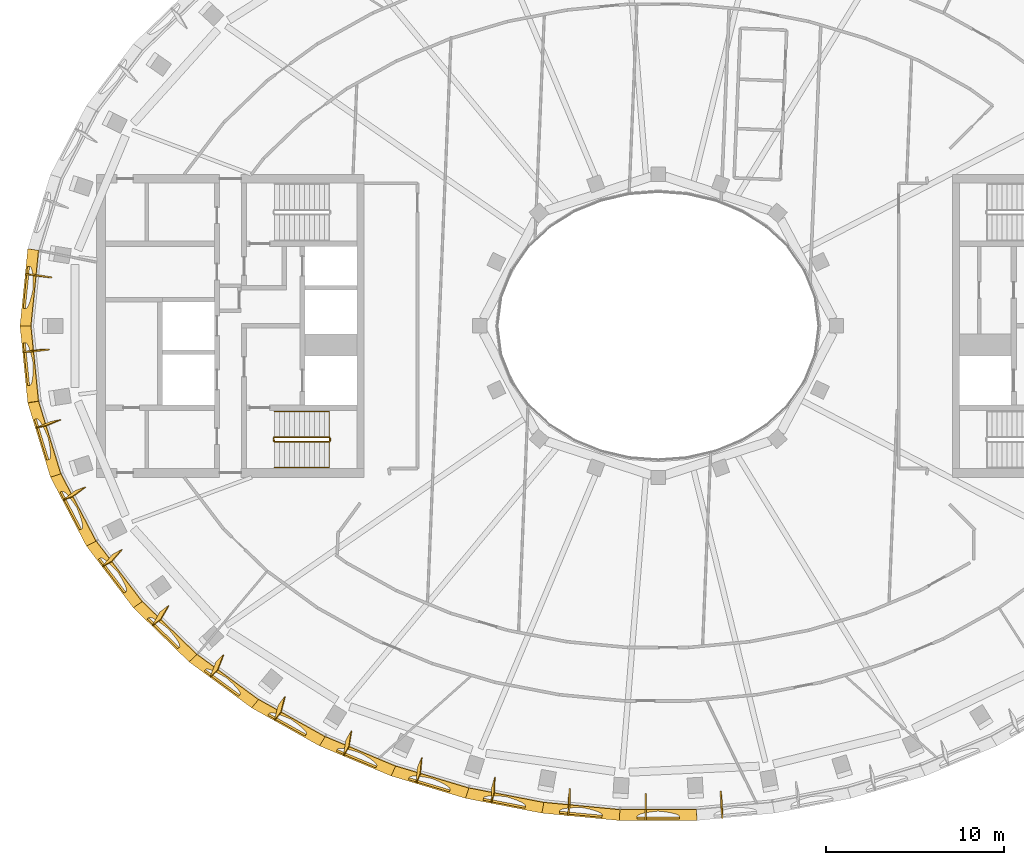
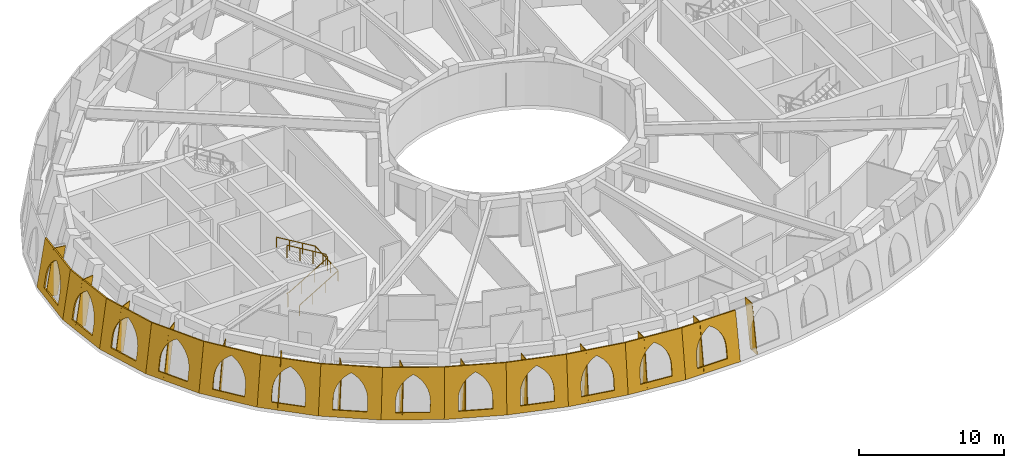
# One storey, part 11 of 14: 27 coverings, 2 railings.
"""IFC4 building model written with IfcOpenShell, lengths in metres."""

from ifc_helpers import new_model, si_unit, direction, frame, origin, origin_2d, place, context, subcontext, project, spatial, polyline, rectangle, outline, extrude, material, layer, layer_set, type_object, element, save


model = new_model("IFC4")

# Units and contexts
model_context = context("Model", 3, precision=1e-05, world=origin(), true_north=direction((0.0, 1.0)))
body_context = subcontext(model_context, "Body", "Model", "MODEL_VIEW")
ifc_project = project(units=[si_unit("LENGTHUNIT", "METRE"), si_unit("AREAUNIT", "SQUARE_METRE"), si_unit("VOLUMEUNIT", "CUBIC_METRE"), si_unit("PLANEANGLEUNIT", "RADIAN"), si_unit("MASSUNIT", "GRAM", prefix="KILO")], contexts=[model_context])

# Site, building, storey
site_placement = place(None, origin())
site = spatial("IfcSite", under=ifc_project, at=site_placement, CompositionType="ELEMENT")
building_placement = place(site_placement, origin())
building = spatial("IfcBuilding", under=site, at=building_placement, Name="Noorbagh Ring Tower", CompositionType="ELEMENT")
storey_placement = place(building_placement, frame((0.0, 0.0, 335.0)))
storey = spatial("IfcBuildingStorey", under=building, at=storey_placement, Name="L73", CompositionType="ELEMENT", Elevation=335.0)

# Railings
ifc_material_1 = material(Name="Stainless steel", Category="steel")
railing_type_1 = type_object("IfcRailingType", Name="CORE-STAIR-GUARD", PredefinedType="GUARDRAIL", material=ifc_material_1)
railing_1_placement = place(storey_placement, frame((-21.580078125, -6.449951171875, 0.0)))
element("IfcRailing", 1, at=railing_1_placement, inside=storey, type_object=railing_type_1, Name="L73 ST2 stair guard", PredefinedType="GUARDRAIL", context=body_context, shape_type="SweptSolid", body=[
    extrude(rectangle(XDim=0.048095703125, YDim=0.048095703125, at=origin_2d()), frame((0.0, 0.0, 1.076171875), z_axis=(0.0, 1.0, 0.0), x_axis=(-1.0, 0.0, 0.0)), (0.0, 0.0, 1.0), 0.14990234375),
    extrude(rectangle(XDim=0.048095703125, YDim=0.048095703125, at=origin_2d()), frame((0.0, 0.14990234375, 1.076171875), z_axis=(0.188775798145, -0.754182335027, 0.628945707965), x_axis=(0.970072785993, 0.242814311512, 0.0)), (0.0, 0.0, 1.0), 0.26513671875),
    extrude(rectangle(XDim=0.048095703125, YDim=0.048095703125, at=origin_2d()), frame((0.050048828125, -0.050048828125, 1.24267578125), z_axis=(0.859308565015, 0.0, 0.511457515432), x_axis=(0.0, 1.0, 0.0)), (0.0, 0.0, 1.0), 3.58447265625),
    extrude(rectangle(XDim=0.048095703125, YDim=0.048095703125, at=origin_2d()), frame((3.130126953125, -0.050048828125, 3.076171875), z_axis=(0.707106781187, 0.707106781187, 0.0), x_axis=(-0.707106781187, 0.707106781187, 0.0)), (0.0, 0.0, 1.0), 0.07080078125),
    extrude(rectangle(XDim=0.048095703125, YDim=0.048095703125, at=origin_2d()), frame((3.18017578125, 0.0, 3.076171875), z_axis=(0.0, 1.0, 0.0), x_axis=(-1.0, 0.0, 0.0)), (0.0, 0.0, 1.0), 0.14990234375),
    extrude(rectangle(XDim=0.048095703125, YDim=0.048095703125, at=origin_2d()), frame((3.18017578125, 0.14990234375, 3.076171875), z_axis=(-0.27628659633, 0.27628659633, 0.920506074601), x_axis=(-0.707106781187, -0.707106781187, 0.0)), (0.0, 0.0, 1.0), 0.18115234375),
    extrude(rectangle(XDim=0.048095703125, YDim=0.048095703125, at=origin_2d()), frame((3.130126953125, 0.199951171875, 3.24267578125), z_axis=(-0.859308565015, 0.0, 0.511457515432), x_axis=(0.0, -1.0, 0.0)), (0.0, 0.0, 1.0), 3.58447265625),
    extrude(rectangle(XDim=0.0419921875, YDim=0.0419921875, at=origin_2d()), origin(), (0.0, 0.0, 1.0), 1.052001953125),
    extrude(rectangle(XDim=0.0419921875, YDim=0.0419921875, at=origin_2d()), frame((1.07666015625, -0.050048828125, 0.77783203125)), (0.0, 0.0, 1.0), 1.052001953125),
    extrude(rectangle(XDim=0.0419921875, YDim=0.0419921875, at=origin_2d()), frame((2.103515625, -0.050048828125, 1.388916015625)), (0.0, 0.0, 1.0), 1.052001953125),
    extrude(rectangle(XDim=0.0419921875, YDim=0.0419921875, at=origin_2d()), frame((3.130126953125, -0.050048828125, 2.0)), (0.0, 0.0, 1.0), 1.052001953125),
    extrude(rectangle(XDim=0.0419921875, YDim=0.0419921875, at=origin_2d()), frame((3.130126953125, 0.199951171875, 2.166748046875)), (0.0, 0.0, 1.0), 1.052001953125),
    extrude(rectangle(XDim=0.0419921875, YDim=0.0419921875, at=origin_2d()), frame((2.103515625, 0.199951171875, 2.77783203125)), (0.0, 0.0, 1.0), 1.052001953125),
    extrude(rectangle(XDim=0.0419921875, YDim=0.0419921875, at=origin_2d()), frame((1.07666015625, 0.199951171875, 3.388916015625)), (0.0, 0.0, 1.0), 1.052001953125),
    extrude(rectangle(XDim=0.0419921875, YDim=0.0419921875, at=origin_2d()), frame((0.050048828125, 0.199951171875, 4.0)), (0.0, 0.0, 1.0), 1.052001953125),
])
ifc_material_2 = material(Name="Stainless steel", Category="steel")
railing_type_2 = type_object("IfcRailingType", Name="CORE-STAIR-HANDRAIL", PredefinedType="HANDRAIL", material=ifc_material_2)
railing_2_placement = place(storey_placement, frame((-21.530029296875, -7.949951171875, 0.166748046875)))
element("IfcRailing", 2, at=railing_2_placement, inside=storey, type_object=railing_type_2, Name="L73 ST2 stair handrail", PredefinedType="HANDRAIL", context=body_context, shape_type="SweptSolid", body=[
    extrude(rectangle(XDim=0.048095703125, YDim=0.048095703125, at=origin_2d()), frame((0.0, 0.0, 0.8759765625), z_axis=(0.859308565015, 0.0, 0.511457515432), x_axis=(0.0, 1.0, 0.0)), (0.0, 0.0, 1.0), 3.58447265625),
    extrude(rectangle(XDim=0.048095703125, YDim=0.048095703125, at=origin_2d()), frame((3.080078125, 0.0, 2.708984375), z_axis=(0.0, 0.998601747152, 0.052863509014), x_axis=(-1.0, 0.0, 0.0)), (0.0, 0.0, 1.0), 3.154296875),
    extrude(rectangle(XDim=0.048095703125, YDim=0.048095703125, at=origin_2d()), frame((3.080078125, 3.14990234375, 2.8759765625), z_axis=(-0.859308565015, 0.0, 0.511457515432), x_axis=(0.0, -1.0, 0.0)), (0.0, 0.0, 1.0), 3.58447265625),
    extrude(rectangle(XDim=0.0419921875, YDim=0.0419921875, at=origin_2d()), origin(), (0.0, 0.0, 1.0), 0.851806640625),
    extrude(rectangle(XDim=0.0419921875, YDim=0.0419921875, at=origin_2d()), frame((1.026611328125, 0.0, 0.611083984375)), (0.0, 0.0, 1.0), 0.851806640625),
    extrude(rectangle(XDim=0.0419921875, YDim=0.0419921875, at=origin_2d()), frame((2.053466796875, 0.0, 1.22216796875)), (0.0, 0.0, 1.0), 0.851806640625),
    extrude(rectangle(XDim=0.0419921875, YDim=0.0419921875, at=origin_2d()), frame((3.080078125, 0.0, 1.833251953125)), (0.0, 0.0, 1.0), 0.851806640625),
    extrude(rectangle(XDim=0.0419921875, YDim=0.0419921875, at=origin_2d()), frame((3.080078125, 1.050048828125, 1.888916015625)), (0.0, 0.0, 1.0), 0.851806640625),
    extrude(rectangle(XDim=0.0419921875, YDim=0.0419921875, at=origin_2d()), frame((3.080078125, 2.099853515625, 1.9443359375)), (0.0, 0.0, 1.0), 0.851806640625),
    extrude(rectangle(XDim=0.0419921875, YDim=0.0419921875, at=origin_2d()), frame((3.080078125, 3.14990234375, 2.0)), (0.0, 0.0, 1.0), 0.851806640625),
    extrude(rectangle(XDim=0.0419921875, YDim=0.0419921875, at=origin_2d()), frame((2.053466796875, 3.14990234375, 2.611083984375)), (0.0, 0.0, 1.0), 0.851806640625),
    extrude(rectangle(XDim=0.0419921875, YDim=0.0419921875, at=origin_2d()), frame((1.026611328125, 3.14990234375, 3.22216796875)), (0.0, 0.0, 1.0), 0.851806640625),
    extrude(rectangle(XDim=0.0419921875, YDim=0.0419921875, at=origin_2d()), frame((0.0, 3.14990234375, 3.833251953125)), (0.0, 0.0, 1.0), 0.851806640625),
])

# Coverings
ifc_material_3 = material(Name="Aluminium 6063-T6 black anodised", Category="aluminium")
ifc_layer_1 = layer(ifc_material_3, 0.050048828125)
ifc_layer_set_1 = layer_set([ifc_layer_1], Name="Aluminium 6063-T6 black anodised")
covering_type_1 = type_object("IfcCoveringType", Name="STYLE-HEAD-FIN", PredefinedType="CLADDING", material=ifc_layer_set_1)
covering_1_placement = place(storey_placement, frame((-35.508544921875, 2.885009765625, 0.0), z_axis=(-0.147833092531, -0.988989826363, 0.006670839826), x_axis=(0.149172121519, -0.015629279722, 0.988687718027)))
element("IfcCovering", 3, at=covering_1_placement, inside=storey, type_object=covering_type_1, Name="Fin rib F23 L73", ObjectType="FIN", PredefinedType="CLADDING", context=body_context, shape_type="SweptSolid", body=[
    extrude(outline(polyline([(0.0, 0.0), (4.045766855466997, 2.220446049250313e-16), (4.180630017699846, -0.889864807234213), (0.1348631622328482, -0.8898648072342131), (0.0, 0.0)])), origin(), (0.0, 0.0, -1.0), 0.050048828125),
])
covering_2_placement = place(storey_placement, frame((-35.654052734375, -1.4423828125, 0.0), z_axis=(-0.124361033752, 0.992175924675, 0.011012165115), x_axis=(0.149425561823, 0.007755198218, 0.988742564257)))
element("IfcCovering", 4, at=covering_2_placement, inside=storey, type_object=covering_type_1, Name="Fin rib F24 L73", ObjectType="FIN", PredefinedType="CLADDING", context=body_context, shape_type="SweptSolid", body=[
    extrude(outline(polyline([(0.0, 0.0), (4.045541085068021, -1.1102230246251565e-16), (4.179855192961751, 0.8899607971314065), (0.13431600125266993, 0.8899912186515152), (0.0, 0.0)])), origin(), (0.0, 0.0, -1.0), 0.050048828125),
])
covering_3_placement = place(storey_placement, frame((-34.938720703125, -5.714111328125, 0.0), z_axis=(-0.381510646415, 0.923949913049, 0.02768004422), x_axis=(0.146105523488, 0.030706206504, 0.988792346698)))
element("IfcCovering", 5, at=covering_3_placement, inside=storey, type_object=covering_type_1, Name="Fin rib F25 L73", ObjectType="FIN", PredefinedType="CLADDING", context=body_context, shape_type="SweptSolid", body=[
    extrude(outline(polyline([(0.0, 0.0), (4.045584358427937, 1.1102230246251565e-16), (4.177696481621185, 0.890403650676491), (0.13207645289942732, 0.8901808126262952), (0.0, 0.0)])), origin(), (0.0, 0.0, -1.0), 0.050048828125),
])
covering_4_placement = place(storey_placement, frame((-33.418701171875, -9.773681640625, 0.0), z_axis=(-0.595963791254, 0.801935815517, 0.041546447557), x_axis=(0.139578699309, 0.052500418677, 0.988818230383)))
element("IfcCovering", 6, at=covering_4_placement, inside=storey, type_object=covering_type_1, Name="Fin rib F26 L73", ObjectType="FIN", PredefinedType="CLADDING", context=body_context, shape_type="SweptSolid", body=[
    extrude(outline(polyline([(0.0, 0.0), (4.045726664748056, -1.1102230246251565e-16), (4.1747456569171915, 0.8907623899288861), (0.129018992169136, 0.8907623899288862), (0.0, 0.0)])), origin(), (0.0, 0.0, -1.0), 0.050048828125),
])
covering_5_placement = place(storey_placement, frame((-31.197998046875, -13.501708984375, 0.0), z_axis=(-0.755758006064, 0.652804773476, 0.051727787473), x_axis=(0.130254727378, 0.072442851982, 0.988830490626)))
element("IfcCovering", 7, at=covering_5_placement, inside=storey, type_object=covering_type_1, Name="Fin rib F27 L73", ObjectType="FIN", PredefinedType="CLADDING", context=body_context, shape_type="SweptSolid", body=[
    extrude(outline(polyline([(0.0, 0.0), (4.045685497605292, 0.0), (4.171637449578587, 0.8910707571020233), (0.12596606620068676, 0.8910433429436253), (0.0, 0.0)])), origin(), (0.0, 0.0, -1.0), 0.050048828125),
])
covering_6_placement = place(storey_placement, frame((-28.400390625, -16.8251953125, 0.0), z_axis=(-0.863838294479, 0.50043046025, 0.057902983041), x_axis=(0.118580178798, 0.090277835868, 0.988831964263)))
element("IfcCovering", 8, at=covering_6_placement, inside=storey, type_object=covering_type_1, Name="Fin rib F28 L73", ObjectType="FIN", PredefinedType="CLADDING", context=body_context, shape_type="SweptSolid", body=[
    extrude(outline(polyline([(0.0, 0.0), (4.045670473682091, 0.0), (4.169479669687322, 0.8914988331312648), (0.12380919600523096, 0.8914988331312648), (0.0, 0.0)])), origin(), (0.0, 0.0, -1.0), 0.050048828125),
])
covering_7_placement = place(storey_placement, frame((-25.1455078125, -19.7080078125, 0.0), z_axis=(-0.930063475621, 0.362466141249, 0.060001898001), x_axis=(0.105045115246, 0.105851738948, 0.988817947412)))
element("IfcCovering", 9, at=covering_7_placement, inside=storey, type_object=covering_type_1, Name="Fin rib F29 L73", ObjectType="FIN", PredefinedType="CLADDING", context=body_context, shape_type="SweptSolid", body=[
    extrude(outline(polyline([(0.0, 0.0), (4.045732026869076, 0.0), (4.168789945752913, 0.8913152034637024), (0.12310940737363034, 0.8916272220388416), (0.0, 0.0)])), origin(), (0.0, 0.0, -1.0), 0.050048828125),
])
covering_8_placement = place(storey_placement, frame((-21.537109375, -22.1396484375, 0.0), z_axis=(-0.967198735921, 0.247249739856, 0.058259517462), x_axis=(0.089981252416, 0.118998022002, 0.988808801019)))
element("IfcCovering", 10, at=covering_8_placement, inside=storey, type_object=covering_type_1, Name="Fin rib F30 L73", ObjectType="FIN", PredefinedType="CLADDING", context=body_context, shape_type="SweptSolid", body=[
    extrude(outline(polyline([(0.0, 0.0), (4.045763466856136, 0.0), (4.1695659131513905, 0.8913127461712644), (0.12383149854672014, 0.8915475159190084), (0.0, 0.0)])), origin(), (0.0, 0.0, -1.0), 0.050048828125),
])
covering_9_placement = place(storey_placement, frame((-17.66162109375, -24.122802734375, 0.0), z_axis=(-0.986155065295, 0.157113016858, 0.053044199754), x_axis=(0.073856126435, 0.129739897216, 0.988793624402)))
element("IfcCovering", 11, at=covering_9_placement, inside=storey, type_object=covering_type_1, Name="Fin rib F31 L73", ObjectType="FIN", PredefinedType="CLADDING", context=body_context, shape_type="SweptSolid", body=[
    extrude(outline(polyline([(0.0, 0.0), (4.04582837090453, 0.0), (4.171614386308706, 0.8912915142073211), (0.12575434062458163, 0.8910524952912179), (0.0, 0.0)])), origin(), (0.0, 0.0, -1.0), 0.050048828125),
])
covering_10_placement = place(storey_placement, frame((-13.589111328125, -25.66650390625, 0.0), z_axis=(-0.994852297429, 0.091057034033, 0.044469347345), x_axis=(0.056846127168, 0.138192814454, 0.988772604727)))
element("IfcCovering", 12, at=covering_10_placement, inside=storey, type_object=covering_type_1, Name="Fin rib F32 L73", ObjectType="FIN", PredefinedType="CLADDING", context=body_context, shape_type="SweptSolid", body=[
    extrude(outline(polyline([(0.0, 0.0), (4.045666436852863, -1.1102230246251565e-16), (4.174183556137161, 0.8907631748899272), (0.12851711928429782, 0.8907631748899271), (0.0, 0.0)])), origin(), (0.0, 0.0, -1.0), 0.050048828125),
])
covering_11_placement = place(storey_placement, frame((-9.377685546875, -26.780029296875, 0.0), z_axis=(-0.998453433548, 0.044601653719, 0.033187852025), x_axis=(0.039313208081, 0.144345509092, 0.988746097679)))
element("IfcCovering", 13, at=covering_11_placement, inside=storey, type_object=covering_type_1, Name="Fin rib F33 L73", ObjectType="FIN", PredefinedType="CLADDING", context=body_context, shape_type="SweptSolid", body=[
    extrude(outline(polyline([(0.0, 0.0), (4.045779169894158, 0.0), (4.177144374023018, 0.8904228444187793), (0.13133956147724696, 0.8901911030947073), (0.0, 0.0)])), origin(), (0.0, 0.0, -1.0), 0.050048828125),
])
covering_12_placement = place(storey_placement, frame((-5.07568359375, -27.471923828125, 0.0), z_axis=(-0.999730598591, 0.012339005082, 0.019659074098), x_axis=(0.021271979871, 0.148212736495, 0.988726700162)))
element("IfcCovering", 14, at=covering_12_placement, inside=storey, type_object=covering_type_1, Name="Fin rib F34 L73", ObjectType="FIN", PredefinedType="CLADDING", context=body_context, shape_type="SweptSolid", body=[
    extrude(outline(polyline([(0.0, 0.0), (4.0456098010690145, -1.1102230246251565e-16), (4.1792566757149485, 0.8902375471595666), (0.13361588325027393, 0.8899983888723073), (0.0, 0.0)])), origin(), (0.0, 0.0, -1.0), 0.050048828125),
])
covering_13_placement = place(storey_placement, frame((-0.72705078125, -27.747802734375, 0.0), z_axis=(-0.999916647804, -0.011936064163, 0.004922176051), x_axis=(0.00307760824, 0.149897624845, 0.988696733277)))
element("IfcCovering", 15, at=covering_13_placement, inside=storey, type_object=covering_type_1, Name="Fin rib F35 L73", ObjectType="FIN", PredefinedType="CLADDING", context=body_context, shape_type="SweptSolid", body=[
    extrude(outline(polyline([(0.0, 0.0), (4.045729964880786, 0.0), (4.180590128556626, 0.889804674708081), (0.1348601636758405, 0.889804674708081), (0.0, 0.0)])), origin(), (0.0, 0.0, -1.0), 0.050048828125),
])
covering_14_placement = place(storey_placement, frame((3.62841796875, -27.60986328125, 0.0), z_axis=(0.999322825853, 0.035394661087, 0.010055232219), x_axis=(-0.015235823563, 0.14929206221, 0.988675755666)))
element("IfcCovering", 16, at=covering_14_placement, inside=storey, type_object=covering_type_1, Name="Fin rib F36 L73", ObjectType="FIN", PredefinedType="CLADDING", context=body_context, shape_type="SweptSolid", body=[
    extrude(outline(polyline([(0.0, 0.0), (4.045817091332591, -1.1102230246251565e-16), (4.1806124786144645, -0.8900687549625335), (0.13476265870798565, -0.8898356820199538), (0.0, 0.0)])), origin(), (0.0, 0.0, -1.0), 0.050048828125),
])
ifc_material_4 = material(Name="Red sandstone jali", Category="masonry")
ifc_layer_2 = layer(ifc_material_4, 0.1201171875)
ifc_layer_set_2 = layer_set([ifc_layer_2], Name="Red sandstone jali")
covering_type_2 = type_object("IfcCoveringType", Name="STYLE-HEAD-SKIN", PredefinedType="CLADDING", material=ifc_layer_set_2)
covering_15_placement = place(storey_placement, frame((-35.363037109375, 4.327392578125, 0.0), z_axis=(-0.983696352943, 0.099228097204, 0.149984232277), x_axis=(-0.100363408076, -0.994950846183, -2.61462e-07)))
element("IfcCovering", 17, at=covering_15_placement, inside=storey, type_object=covering_type_2, Name="Head skin panel", ObjectType="HEAD SKIN", PredefinedType="CLADDING", context=body_context, shape_type="SweptSolid", body=[
    extrude(outline(polyline([(0.0, 0.0), (4.349365234375, 0.0), (4.288330078125, 4.045654296875), (0.03369140625, 4.045654296875), (0.0, 0.0)]), holes=[polyline([(0.981689453125, 0.550048828125), (0.978515625, 1.4326171875), (0.998046875, 1.743408203125), (1.0576171875, 2.049072265625), (1.156982421875, 2.34423828125), (1.293701171875, 2.623779296875), (1.466064453125, 2.8828125), (1.6708984375, 3.1171875), (1.904296875, 3.32275390625), (2.1630859375, 3.495849609375), (2.422607421875, 3.32275390625), (2.65771484375, 3.1171875), (2.864013671875, 2.8828125), (3.0380859375, 2.623779296875), (3.1767578125, 2.34423828125), (3.27783203125, 2.049072265625), (3.339599609375, 1.743408203125), (3.361083984375, 1.4326171875), (3.364013671875, 0.550048828125), (0.981689453125, 0.550048828125)])]), origin(), (0.0, 0.0, -1.0), 0.1201171875),
])
covering_16_placement = place(storey_placement, frame((-35.799560546875, 0.0, 0.0), z_axis=(-0.983776833745, -0.099236215519, 0.149450041536), x_axis=(0.100363407795, -0.994950846211, 2.60552e-07)))
element("IfcCovering", 18, at=covering_16_placement, inside=storey, type_object=covering_type_2, Name="Head skin panel", ObjectType="HEAD SKIN", PredefinedType="CLADDING", context=body_context, shape_type="SweptSolid", body=[
    extrude(outline(polyline([(0.0, 0.0), (4.349365234375, 0.0), (4.315673828125, 4.04541015625), (0.06103515625, 4.04541015625), (0.0, 0.0)]), holes=[polyline([(0.9853515625, 0.550048828125), (0.98828125, 1.43212890625), (1.009521484375, 1.7431640625), (1.071533203125, 2.048828125), (1.172607421875, 2.343994140625), (1.311279296875, 2.623291015625), (1.4853515625, 2.882568359375), (1.691650390625, 3.116943359375), (1.9267578125, 3.322509765625), (2.186279296875, 3.49560546875), (2.44482421875, 3.322509765625), (2.6787109375, 3.116943359375), (2.88330078125, 2.882568359375), (3.055419921875, 2.623291015625), (3.1923828125, 2.343994140625), (3.29150390625, 2.048828125), (3.351318359375, 1.7431640625), (3.370849609375, 1.43212890625), (3.367919921875, 0.550048828125), (0.9853515625, 0.550048828125)])]), origin(), (0.0, 0.0, -1.0), 0.1201171875),
])
covering_17_placement = place(storey_placement, frame((-35.363037109375, -4.327392578125, 0.0), z_axis=(-0.945597618831, -0.289339296312, 0.148754545712), x_axis=(0.292594665782, -0.956236561503, 3.6525e-08)))
element("IfcCovering", 19, at=covering_17_placement, inside=storey, type_object=covering_type_2, Name="Head skin panel", ObjectType="HEAD SKIN", PredefinedType="CLADDING", context=body_context, shape_type="SweptSolid", body=[
    extrude(outline(polyline([(0.0, 0.0), (4.3505859375, 0.0), (4.342529296875, 4.044921875), (0.085205078125, 4.044921875), (0.0, 0.0)]), holes=[polyline([(0.988525390625, 0.550048828125), (0.996826171875, 1.430419921875), (1.020263671875, 1.74169921875), (1.083984375, 2.04736328125), (1.18701171875, 2.3427734375), (1.32763671875, 2.622314453125), (1.50341796875, 2.881591796875), (1.711181640625, 3.1162109375), (1.947509765625, 3.32177734375), (2.20849609375, 3.4951171875), (2.46630859375, 3.32177734375), (2.69873046875, 3.1162109375), (2.902099609375, 2.881591796875), (3.072998046875, 2.622314453125), (3.208251953125, 2.3427734375), (3.3056640625, 2.04736328125), (3.363525390625, 1.74169921875), (3.380859375, 1.430419921875), (3.37255859375, 0.550048828125), (0.988525390625, 0.550048828125)])]), origin(), (0.0, 0.0, -1.0), 0.1201171875),
])
covering_18_placement = place(storey_placement, frame((-34.090087890625, -8.487548828125, 0.0), z_axis=(-0.876667817873, -0.457744097378, 0.148067141599), x_axis=(0.46284552488, -0.88643895452, -2.85552e-06)))
element("IfcCovering", 20, at=covering_18_placement, inside=storey, type_object=covering_type_2, Name="Head skin panel", ObjectType="HEAD SKIN", PredefinedType="CLADDING", context=body_context, shape_type="SweptSolid", body=[
    extrude(outline(polyline([(0.0, 0.0), (4.352294921875, 0.0), (4.365234375, 4.044677734375), (0.103271484375, 4.044677734375), (0.0, 0.0)]), holes=[polyline([(0.99072265625, 0.550048828125), (1.00341796875, 1.427734375), (1.0283203125, 1.7392578125), (1.093505859375, 2.04541015625), (1.1982421875, 2.341064453125), (1.34033203125, 2.62109375), (1.517578125, 2.880615234375), (1.726806640625, 3.115478515625), (1.96435546875, 3.3212890625), (2.226318359375, 3.49462890625), (2.4833984375, 3.3212890625), (2.715087890625, 3.115478515625), (2.917724609375, 2.880615234375), (3.08740234375, 2.62109375), (3.221435546875, 2.341064453125), (3.317626953125, 2.04541015625), (3.3740234375, 1.7392578125), (3.389892578125, 1.427734375), (3.37744140625, 0.550048828125), (0.99072265625, 0.550048828125)])]), origin(), (0.0, 0.0, -1.0), 0.1201171875),
])
covering_19_placement = place(storey_placement, frame((-32.07568359375, -12.345703125, 0.0), z_axis=(-0.787793037727, -0.59799342108, 0.147600806413), x_axis=(0.604616411914, -0.796516788533, 5.423274e-06)))
element("IfcCovering", 21, at=covering_19_placement, inside=storey, type_object=covering_type_2, Name="Head skin panel", ObjectType="HEAD SKIN", PredefinedType="CLADDING", context=body_context, shape_type="SweptSolid", body=[
    extrude(outline(polyline([(0.0, 0.0), (4.354736328125, 0.0), (4.38134765625, 4.044189453125), (0.1142578125, 4.04443359375), (0.0, 0.0)]), holes=[polyline([(0.9921875, 0.550048828125), (1.00732421875, 1.4248046875), (1.033203125, 1.73681640625), (1.099609375, 2.04345703125), (1.205078125, 2.33935546875), (1.348388671875, 2.61962890625), (1.526611328125, 2.879638671875), (1.73681640625, 3.114501953125), (1.975341796875, 3.32080078125), (2.23828125, 3.494384765625), (2.4951171875, 3.32080078125), (2.7265625, 3.114501953125), (2.928466796875, 2.879638671875), (3.09765625, 2.61962890625), (3.23095703125, 2.33935546875), (3.326416015625, 2.04345703125), (3.3818359375, 1.73681640625), (3.39697265625, 1.4248046875), (3.381591796875, 0.550048828125), (0.9921875, 0.550048828125)])]), origin(), (0.0, 0.0, -1.0), 0.1201171875),
])
covering_20_placement = place(storey_placement, frame((-29.442626953125, -15.814208984375, 0.0), z_axis=(-0.688669104964, -0.709938144292, 0.147386210845), x_axis=(0.717777146779, -0.696272911694, 1.671716e-06)))
element("IfcCovering", 22, at=covering_20_placement, inside=storey, type_object=covering_type_2, Name="Head skin panel", ObjectType="HEAD SKIN", PredefinedType="CLADDING", context=body_context, shape_type="SweptSolid", body=[
    extrude(outline(polyline([(0.0, 0.0), (4.3564453125, 0.0), (4.39013671875, 4.044189453125), (0.117919921875, 4.044189453125), (0.0, 0.0)]), holes=[polyline([(0.9921875, 0.550048828125), (1.0087890625, 1.42236328125), (1.034912109375, 1.734619140625), (1.101806640625, 2.04150390625), (1.2080078125, 2.337890625), (1.351806640625, 2.618408203125), (1.530517578125, 2.878662109375), (1.7412109375, 3.114013671875), (1.980224609375, 3.3203125), (2.243896484375, 3.494140625), (2.500732421875, 3.3203125), (2.732177734375, 3.114013671875), (2.93408203125, 2.878662109375), (3.10302734375, 2.618408203125), (3.236083984375, 2.337890625), (3.331298828125, 2.04150390625), (3.386474609375, 1.734619140625), (3.401123046875, 1.42236328125), (3.384765625, 0.550048828125), (0.9921875, 0.550048828125)])]), origin(), (0.0, 0.0, -1.0), 0.1201171875),
])
covering_21_placement = place(storey_placement, frame((-26.315673828125, -18.847412109375, 0.0), z_axis=(-0.585950228477, -0.79680617859, 0.147520315578), x_axis=(0.805620688422, -0.592431689209, 2.685004e-06)))
element("IfcCovering", 23, at=covering_21_placement, inside=storey, type_object=covering_type_2, Name="Head skin panel", ObjectType="HEAD SKIN", PredefinedType="CLADDING", context=body_context, shape_type="SweptSolid", body=[
    extrude(outline(polyline([(0.0, 0.0), (4.358154296875, 0.0), (4.392333984375, 4.044189453125), (0.11572265625, 4.044189453125), (0.0, 0.0)]), holes=[polyline([(0.99169921875, 0.550048828125), (1.0078125, 1.420166015625), (1.0341796875, 1.73291015625), (1.10107421875, 2.0400390625), (1.207275390625, 2.336669921875), (1.35107421875, 2.61767578125), (1.52978515625, 2.878173828125), (1.74072265625, 3.11376953125), (1.980224609375, 3.3203125), (2.243896484375, 3.494384765625), (2.501220703125, 3.3203125), (2.73291015625, 3.11376953125), (2.93505859375, 2.878173828125), (3.104248046875, 2.61767578125), (3.237548828125, 2.336669921875), (3.332763671875, 2.0400390625), (3.38818359375, 1.73291015625), (3.40283203125, 1.420166015625), (3.38671875, 0.550048828125), (0.99169921875, 0.550048828125)])]), origin(), (0.0, 0.0, -1.0), 0.1201171875),
])
covering_22_placement = place(storey_placement, frame((-22.8046875, -21.42919921875, 0.0), z_axis=(-0.483464363398, -0.862796220986, 0.14780017042), x_axis=(0.872377071732, -0.488833555215, -3.508129e-06)))
element("IfcCovering", 24, at=covering_22_placement, inside=storey, type_object=covering_type_2, Name="Head skin panel", ObjectType="HEAD SKIN", PredefinedType="CLADDING", context=body_context, shape_type="SweptSolid", body=[
    extrude(outline(polyline([(0.0, 0.0), (4.359375, 0.0), (4.388916015625, 4.04443359375), (0.108642578125, 4.04443359375), (0.0, 0.0)]), holes=[polyline([(0.990478515625, 0.550048828125), (1.005615234375, 1.418701171875), (1.03125, 1.7314453125), (1.097900390625, 2.0390625), (1.20361328125, 2.3359375), (1.34716796875, 2.6171875), (1.525634765625, 2.877685546875), (1.736572265625, 3.113525390625), (1.975830078125, 3.3203125), (2.239501953125, 3.494384765625), (2.497314453125, 3.3203125), (2.7294921875, 3.113525390625), (2.93212890625, 2.877685546875), (3.101806640625, 2.6171875), (3.235595703125, 2.3359375), (3.331298828125, 2.0390625), (3.38720703125, 1.7314453125), (3.40234375, 1.418701171875), (3.3876953125, 0.550048828125), (0.990478515625, 0.550048828125)])]), origin(), (0.0, 0.0, -1.0), 0.1201171875),
])
covering_23_placement = place(storey_placement, frame((-19.001708984375, -23.560302734375, 0.0), z_axis=(-0.382832508522, -0.911842508259, 0.148265001095), x_axis=(0.922032943495, -0.387111419492, -3.122967e-06)))
element("IfcCovering", 25, at=covering_23_placement, inside=storey, type_object=covering_type_2, Name="Head skin panel", ObjectType="HEAD SKIN", PredefinedType="CLADDING", context=body_context, shape_type="SweptSolid", body=[
    extrude(outline(polyline([(0.0, 0.0), (4.3603515625, 0.0), (4.381103515625, 4.044677734375), (0.09814453125, 4.044677734375), (0.0, 0.0)]), holes=[polyline([(0.989013671875, 0.550048828125), (1.001708984375, 1.41748046875), (1.02685546875, 1.730712890625), (1.092529296875, 2.038330078125), (1.19775390625, 2.33544921875), (1.3408203125, 2.61669921875), (1.518798828125, 2.877685546875), (1.729248046875, 3.113525390625), (1.968017578125, 3.320556640625), (2.2314453125, 3.494873046875), (2.48974609375, 3.320556640625), (2.72265625, 3.113525390625), (2.926025390625, 2.877685546875), (3.0966796875, 2.61669921875), (3.231201171875, 2.33544921875), (3.32763671875, 2.038330078125), (3.384521484375, 1.730712890625), (3.400390625, 1.41748046875), (3.387451171875, 0.550048828125), (0.989013671875, 0.550048828125)])]), origin(), (0.0, 0.0, -1.0), 0.1201171875),
])
covering_24_placement = place(storey_placement, frame((-14.9814453125, -25.248291015625, 0.0), z_axis=(-0.284549626648, -0.947046829225, 0.148774370201), x_axis=(0.957705058662, -0.287751664824, 2.118004e-06)))
element("IfcCovering", 26, at=covering_24_placement, inside=storey, type_object=covering_type_2, Name="Head skin panel", ObjectType="HEAD SKIN", PredefinedType="CLADDING", context=body_context, shape_type="SweptSolid", body=[
    extrude(outline(polyline([(0.0, 0.0), (4.361083984375, 0.0), (4.3701171875, 4.044921875), (0.084716796875, 4.044921875), (0.0, 0.0)]), holes=[polyline([(0.987060546875, 0.550048828125), (0.9970703125, 1.416748046875), (1.021240234375, 1.72998046875), (1.0859375, 2.037841796875), (1.1904296875, 2.335205078125), (1.33251953125, 2.61669921875), (1.510009765625, 2.877685546875), (1.719482421875, 3.11376953125), (1.9580078125, 3.32080078125), (2.220947265625, 3.4951171875), (2.47998046875, 3.32080078125), (2.713623046875, 3.11376953125), (2.917724609375, 2.877685546875), (3.089111328125, 2.61669921875), (3.224853515625, 2.335205078125), (3.322265625, 2.037841796875), (3.3798828125, 1.72998046875), (3.396728515625, 1.416748046875), (3.38671875, 0.550048828125), (0.987060546875, 0.550048828125)])]), origin(), (0.0, 0.0, -1.0), 0.1201171875),
])
covering_25_placement = place(storey_placement, frame((-10.8046875, -26.503173828125, 0.0), z_axis=(-0.188366567624, -0.970696357819, 0.149220029213), x_axis=(0.981687338021, -0.190499266056, 8.75323e-07)))
element("IfcCovering", 27, at=covering_25_placement, inside=storey, type_object=covering_type_2, Name="Head skin panel", ObjectType="HEAD SKIN", PredefinedType="CLADDING", context=body_context, shape_type="SweptSolid", body=[
    extrude(outline(polyline([(0.0, 0.0), (4.361328125, 0.0), (4.3564453125, 4.045166015625), (0.069580078125, 4.04541015625), (0.0, 0.0)]), holes=[polyline([(0.98486328125, 0.550048828125), (0.99169921875, 1.41650390625), (1.014892578125, 1.729736328125), (1.07861328125, 2.03759765625), (1.181884765625, 2.335205078125), (1.322998046875, 2.61669921875), (1.49951171875, 2.877685546875), (1.70849609375, 3.114013671875), (1.9462890625, 3.32080078125), (2.208740234375, 3.495361328125), (2.468505859375, 3.32080078125), (2.702880859375, 3.114013671875), (2.907958984375, 2.877685546875), (3.080322265625, 2.61669921875), (3.217041015625, 2.335205078125), (3.3154296875, 2.03759765625), (3.374267578125, 1.729736328125), (3.392333984375, 1.41650390625), (3.385498046875, 0.550048828125), (0.98486328125, 0.550048828125)])]), origin(), (0.0, 0.0, -1.0), 0.1201171875),
])
covering_26_placement = place(storey_placement, frame((-6.523193359375, -27.333984375, 0.0), z_axis=(-0.093798669762, -0.984286011255, 0.149609015766), x_axis=(0.995490008694, -0.094866446075, -5.16226e-07)))
element("IfcCovering", 28, at=covering_26_placement, inside=storey, type_object=covering_type_2, Name="Head skin panel", ObjectType="HEAD SKIN", PredefinedType="CLADDING", context=body_context, shape_type="SweptSolid", body=[
    extrude(outline(polyline([(0.0, 0.0), (4.362060546875, 0.0), (4.34130859375, 4.045654296875), (0.0537109375, 4.04541015625), (0.0, 0.0)]), holes=[polyline([(0.982666015625, 0.550048828125), (0.986083984375, 1.416259765625), (1.008056640625, 1.7294921875), (1.070556640625, 2.03759765625), (1.172607421875, 2.335205078125), (1.312744140625, 2.61669921875), (1.48828125, 2.8779296875), (1.6962890625, 3.114013671875), (1.933349609375, 3.321044921875), (2.195068359375, 3.49560546875), (2.45556640625, 3.321044921875), (2.69091796875, 3.114013671875), (2.89697265625, 2.8779296875), (3.0703125, 2.61669921875), (3.208251953125, 2.335205078125), (3.307861328125, 2.03759765625), (3.367919921875, 1.7294921875), (3.38720703125, 1.416259765625), (3.3837890625, 0.550048828125), (0.982666015625, 0.550048828125)])]), origin(), (0.0, 0.0, -1.0), 0.1201171875),
])
covering_27_placement = place(storey_placement, frame((-2.180908203125, -27.747802734375, 0.0), z_axis=(0.0, -0.988701415616, 0.149898334741), x_axis=(1.0, 0.0, 0.0)))
element("IfcCovering", 29, at=covering_27_placement, inside=storey, type_object=covering_type_2, Name="Head skin panel", ObjectType="HEAD SKIN", PredefinedType="CLADDING", context=body_context, shape_type="SweptSolid", body=[
    extrude(outline(polyline([(0.0, 0.0), (4.36181640625, 0.0), (4.32470703125, 4.045654296875), (0.037109375, 4.045654296875), (0.0, 0.0)]), holes=[polyline([(0.98046875, 0.550048828125), (0.98046875, 1.416259765625), (1.0009765625, 1.729736328125), (1.062255859375, 2.037841796875), (1.1630859375, 2.335205078125), (1.302001953125, 2.616943359375), (1.4765625, 2.8779296875), (1.68359375, 3.1142578125), (1.919921875, 3.3212890625), (2.180908203125, 3.495849609375), (2.442138671875, 3.3212890625), (2.67822265625, 3.1142578125), (2.885498046875, 2.8779296875), (3.059814453125, 2.616943359375), (3.19873046875, 2.335205078125), (3.2998046875, 2.037841796875), (3.361083984375, 1.729736328125), (3.381591796875, 1.416259765625), (3.381591796875, 0.550048828125), (0.98046875, 0.550048828125)])]), origin(), (0.0, 0.0, -1.0), 0.1201171875),
])

save(model, "model.ifc")
